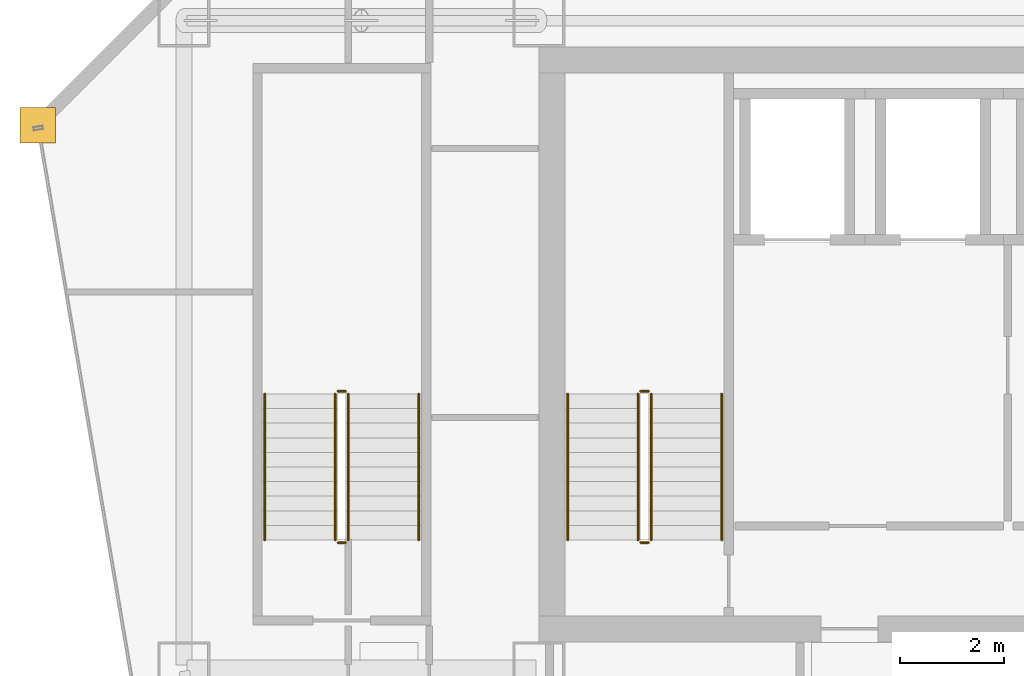
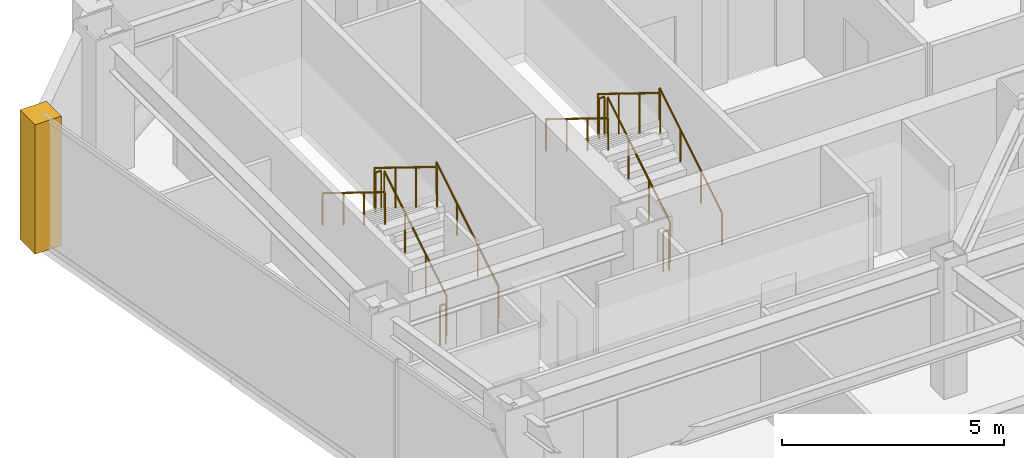
# One storey, part 29 of 31: 12 railings, 1 covering.
"""IFC4 building model written with IfcOpenShell, lengths in metres."""

import ifcopenshell
import ifcopenshell.guid

model = None  # the IFC model being written
_history = None  # IfcOwnerHistory: only IFC2X3 demands one
_inside = {}  # id of a spatial element -> (the spatial element, [elements in it])
_under = {}  # id of a project, library or spatial element -> (it, [spatial elements below it])
_declared = {}  # id of a project -> (the project, [libraries it declares])
_typed = {}  # id of a type object -> (the type object, [elements of that type])
_made_of = {}  # id of a material, layer set ... -> (it, [elements and type objects made of it])


def new_model(schema):
    """Start an empty IFC model of exactly this schema.

    Asked for "IFC4X3", IfcOpenShell would pick the latest addendum, in which some entities
    have other attributes; the version numbers below select the first issue.
    IFC2X3 requires an IfcOwnerHistory on every rooted entity: one is made here for all.
    """
    global model, _history
    if schema == "IFC4X3":
        model = ifcopenshell.file(schema_version=(4, 3, 0, 0))
    else:
        model = ifcopenshell.file(schema=schema)
    _inside.clear()
    _under.clear()
    _declared.clear()
    _typed.clear()
    _made_of.clear()
    _history = None
    if model.schema == "IFC2X3":
        org = make("IfcOrganization", Name="unknown")
        user = make(
            "IfcPersonAndOrganization",
            ThePerson=make("IfcPerson", FamilyName="unknown"),
            TheOrganization=org,
        )
        app = make(
            "IfcApplication",
            ApplicationDeveloper=org,
            Version="unknown",
            ApplicationFullName="unknown",
            ApplicationIdentifier="unknown",
        )
        _history = make(
            "IfcOwnerHistory",
            OwningUser=user,
            OwningApplication=app,
            ChangeAction="ADDED",
            CreationDate=0,
        )
    return model


def make(cls, **values):
    """One entity of the class cls with the attributes given. An attribute that is None is left unset."""
    return model.create_entity(
        cls, **{name: value for name, value in values.items() if value is not None}
    )


def rooted(cls, **values):
    """An entity with a GlobalId (a new one), such as an element, a storey or a relation."""
    return make(cls, GlobalId=ifcopenshell.guid.new(), OwnerHistory=_history, **values)


def si_unit(unit_type, name, prefix=None):
    """IfcSIUnit, for example si_unit("LENGTHUNIT", "METRE", prefix="MILLI")."""
    return make("IfcSIUnit", UnitType=unit_type, Prefix=prefix, Name=name)


def assignment(units):
    """IfcUnitAssignment: the units of a project."""
    return None if units is None else make("IfcUnitAssignment", Units=units)


def point(xyz):
    """IfcCartesianPoint."""
    return None if xyz is None else make("IfcCartesianPoint", Coordinates=xyz)


def direction(xyz):
    """IfcDirection."""
    return None if xyz is None else make("IfcDirection", DirectionRatios=xyz)


def frame(location, z_axis=None, x_axis=None):
    """IfcAxis2Placement3D, a coordinate frame: its origin and axes. An axis left out is left unset."""
    return make(
        "IfcAxis2Placement3D",
        Location=point(location),
        Axis=direction(z_axis),
        RefDirection=direction(x_axis),
    )


def frame_2d(location, x_axis=None):
    """IfcAxis2Placement2D, a coordinate frame in the plane: its origin and x axis."""
    return make(
        "IfcAxis2Placement2D", Location=point(location), RefDirection=direction(x_axis)
    )


def origin():
    """The frame at (0, 0, 0) with its axes left unset."""
    return frame((0.0, 0.0, 0.0))


def origin_2d():
    """The frame at (0, 0) in the plane with its x axis left unset."""
    return frame_2d((0.0, 0.0))


def place(relative_to, where):
    """IfcLocalPlacement: puts the frame where relative to a parent placement (None: the world)."""
    return make(
        "IfcLocalPlacement", PlacementRelTo=relative_to, RelativePlacement=where
    )


def context(
    kind, dimensions, precision=None, world=None, true_north=None, identifier=None
):
    """IfcGeometricRepresentationContext, for example the 3D "Model" context."""
    return make(
        "IfcGeometricRepresentationContext",
        ContextIdentifier=identifier,
        ContextType=kind,
        CoordinateSpaceDimension=dimensions,
        Precision=precision,
        WorldCoordinateSystem=world,
        TrueNorth=true_north,
    )


def subcontext(parent, identifier, kind, view, scale=None):
    """IfcGeometricRepresentationSubContext, for example "Body" below "Model"."""
    return make(
        "IfcGeometricRepresentationSubContext",
        ContextIdentifier=identifier,
        ContextType=kind,
        ParentContext=parent,
        TargetScale=scale,
        TargetView=view,
    )


def project(units=None, contexts=None):
    """IfcProject with its units and contexts."""
    return rooted(
        "IfcProject",
        Name="project",
        RepresentationContexts=contexts,
        UnitsInContext=assignment(units),
    )


def spatial(cls, under=None, at=None, **own):
    """A site, building, storey or space (cls), placed at a placement, below another one or the project."""
    s = rooted(cls, ObjectPlacement=at, **own)
    if under is not None:
        _under.setdefault(under.id(), (under, []))[1].append(s)
    return s


def polyline(points):
    """IfcPolyline through the points."""
    return make("IfcPolyline", Points=[point(p) for p in points])


def profile(cls, at=None, kind="AREA", **sizes):
    """A parametric profile (cls). Its sizes go by their IFC names, for example OverallWidth=200.0."""
    return make(cls, ProfileType=kind, Position=at, **sizes)


def circle(**sizes):
    """IfcCircleProfileDef."""
    return profile("IfcCircleProfileDef", **sizes)


def outline(outer, holes=None, kind="AREA"):
    """IfcArbitraryClosedProfileDef: a profile drawn as a closed curve; with holes, ...WithVoids."""
    if holes is None:
        return make("IfcArbitraryClosedProfileDef", ProfileType=kind, OuterCurve=outer)
    return make(
        "IfcArbitraryProfileDefWithVoids",
        ProfileType=kind,
        OuterCurve=outer,
        InnerCurves=holes,
    )


def extrude(swept, where, along, depth):
    """IfcExtrudedAreaSolid: the profile swept, set in the frame where, extruded along a direction by depth."""
    return make(
        "IfcExtrudedAreaSolid",
        SweptArea=swept,
        Position=where,
        ExtrudedDirection=direction(along),
        Depth=depth,
    )


def shape(context_of_items, identifier, shape_type, items):
    """IfcShapeRepresentation: the items that make up one representation, for example the "Body"."""
    return make(
        "IfcShapeRepresentation",
        ContextOfItems=context_of_items,
        RepresentationIdentifier=identifier,
        RepresentationType=shape_type,
        Items=items,
    )


def material(Name=None, Category=None):
    """IfcMaterial."""
    return make("IfcMaterial", Name=Name, Category=Category)


def layer(
    of_material, thickness, ventilated=None, Name=None, Category=None, Priority=None
):
    """IfcMaterialLayer: one layer of a wall or slab, of a material (None: an air gap)."""
    return make(
        "IfcMaterialLayer",
        Material=of_material,
        LayerThickness=thickness,
        IsVentilated=ventilated,
        Name=Name,
        Category=Category,
        Priority=Priority,
    )


def layer_set(layers, Name=None):
    """IfcMaterialLayerSet."""
    return make("IfcMaterialLayerSet", MaterialLayers=layers, LayerSetName=Name)


def made_of(thing, what):
    """Note that an element or type object is made of a material, layer set ...; save() writes the relation."""
    if what is not None:
        _made_of.setdefault(what.id(), (what, []))[1].append(thing)
    return thing


def type_object(cls, material=None, **own):
    """A type object (cls), such as IfcWallType, which elements share."""
    return made_of(rooted(cls, **own), material)


def element(
    cls,
    number,
    at=None,
    inside=None,
    cuts=None,
    type_object=None,
    material=None,
    context=None,
    identifier="Body",
    shape_type=None,
    held_by="IfcProductDefinitionShape",
    body=None,
    shapes=None,
    **own,
):
    """One element of the class cls, such as IfcWall. Its Tag is "e" and its number.

    at: its placement. inside: the storey or other place that contains it. cuts: it is an
    opening in that element (IfcRelVoidsElement). A single representation is given by context,
    identifier, shape_type and body (its items); several are given by shapes. held_by: the class
    of the entity that holds the representations. save() writes the other relations.
    """
    e = rooted(cls, Tag="e%d" % number, ObjectPlacement=at, **own)
    if body is not None:
        shapes = [shape(context, identifier, shape_type, body)]
    if shapes is not None:
        e.Representation = make(held_by, Representations=shapes)
    if inside is not None:
        _inside.setdefault(inside.id(), (inside, []))[1].append(e)
    if cuts is not None:
        rooted(
            "IfcRelVoidsElement", RelatingBuildingElement=cuts, RelatedOpeningElement=e
        )
    if type_object is not None:
        _typed.setdefault(type_object.id(), (type_object, []))[1].append(e)
    return made_of(e, material)


def aggregate(whole, parts):
    """IfcRelAggregates: a whole, such as a stair, and the parts it consists of."""
    return rooted("IfcRelAggregates", RelatingObject=whole, RelatedObjects=parts)


def save(model, path):
    """Write the relations noted so far, then the file.

    IfcRelAggregates (storeys below a building ...), IfcRelContainedInSpatialStructure (elements
    in a storey), IfcRelDefinesByType, IfcRelAssociatesMaterial and IfcRelDeclares: one each for
    every whole, place, type object, material and project.
    """
    for whole, parts in _under.values():
        aggregate(whole, parts)
    for where, things in _inside.values():
        rooted(
            "IfcRelContainedInSpatialStructure",
            RelatedElements=things,
            RelatingStructure=where,
        )
    for kind, things in _typed.values():
        rooted("IfcRelDefinesByType", RelatedObjects=things, RelatingType=kind)
    for what, things in _made_of.values():
        rooted("IfcRelAssociatesMaterial", RelatedObjects=things, RelatingMaterial=what)
    for by, libraries in _declared.values():
        rooted("IfcRelDeclares", RelatingContext=by, RelatedDefinitions=libraries)
    model.write(path)


model = new_model("IFC4")

# Units and contexts
model_context = context("Model", 3, precision=1e-05, world=origin(), true_north=direction((0.0, 1.0)))
body_context = subcontext(model_context, "Body", "Model", "MODEL_VIEW")
ifc_project = project(units=[si_unit("LENGTHUNIT", "METRE"), si_unit("AREAUNIT", "SQUARE_METRE"), si_unit("VOLUMEUNIT", "CUBIC_METRE"), si_unit("PLANEANGLEUNIT", "RADIAN"), si_unit("MASSUNIT", "GRAM", prefix="KILO")], contexts=[model_context])

# Site, building, storey
site_placement = place(None, origin())
site = spatial("IfcSite", under=ifc_project, at=site_placement, CompositionType="ELEMENT")
building_placement = place(site_placement, origin())
building = spatial("IfcBuilding", under=site, at=building_placement, Name="Saevonmaru Cultural Tower", CompositionType="ELEMENT")
storey_placement = place(building_placement, frame((0.0, 0.0, 167.60009765625)))
storey = spatial("IfcBuildingStorey", under=building, at=storey_placement, Name="L37", CompositionType="ELEMENT", Elevation=167.60009765625)

# Covering
ifc_material_1 = material(Name="Satin Bronze Anodised Aluminium", Category="aluminium")
ifc_layer = layer(ifc_material_1, 0.679931640625, Name="Satin Bronze Anodised Aluminium")
ifc_layer_set = layer_set([ifc_layer], Name="Satin Bronze Anodised Aluminium")
covering_type = type_object("IfcCoveringType", Name="CV-CORNER-CLAD", PredefinedType="CLADDING", material=ifc_layer_set)
covering_placement = place(storey_placement, origin())
element("IfcCovering", 1, at=covering_placement, inside=storey, type_object=covering_type, Name="L37 Tower Bronze Corner Cladding Pier 12", PredefinedType="CLADDING", context=body_context, shape_type="SweptSolid", body=[
    extrude(outline(polyline([(3.659912109375, 52.4599609375), (4.340087890625, 52.4599609375), (4.340087890625, 53.139892578125), (3.659912109375, 53.139892578125), (3.659912109375, 52.4599609375)])), origin(), (0.0, 0.0, 1.0), 3.5498046875),
])

# Railings
ifc_material_2 = material(Name="Architectural Painted Steel", Category="steel")
railing_type_1 = type_object("IfcRailingType", Name="RL-STAIR-GUARD", PredefinedType="GUARDRAIL", material=ifc_material_2)
railing_1_placement = place(storey_placement, frame((15.75, 44.85009765625, 0.172607421875)))
element("IfcRailing", 2, at=railing_1_placement, inside=storey, type_object=railing_type_1, Name="L37 ST-1 stair guard 1", PredefinedType="GUARDRAIL", context=body_context, shape_type="SweptSolid", body=[
    extrude(circle(Radius=0.02392578125, at=origin_2d()), frame((0.0, 0.0, 1.09619140625), z_axis=(0.0, 0.851069175582, 0.525053576669), x_axis=(-1.0, 0.0, 0.0)), (0.0, 0.0, 1.0), 3.289794921875),
    extrude(circle(Radius=0.02099609375, at=origin_2d()), origin(), (0.0, 0.0, 1.0), 1.072021484375),
    extrude(circle(Radius=0.02099609375, at=origin_2d()), frame((0.0, 0.933349609375, 0.57568359375)), (0.0, 0.0, 1.0), 1.072021484375),
    extrude(circle(Radius=0.02099609375, at=origin_2d()), frame((0.0, 1.866455078125, 1.151611328125)), (0.0, 0.0, 1.0), 1.072021484375),
    extrude(circle(Radius=0.02099609375, at=origin_2d()), frame((0.0, 2.7998046875, 1.727294921875)), (0.0, 0.0, 1.0), 1.072021484375),
])
railing_2_placement = place(storey_placement, frame((15.699951171875, 47.699951171875, 1.89990234375)))
element("IfcRailing", 3, at=railing_2_placement, inside=storey, type_object=railing_type_1, Name="L37 ST-1 stair guard 2", PredefinedType="GUARDRAIL", context=body_context, shape_type="SweptSolid", body=[
    extrude(circle(Radius=0.02392578125, at=origin_2d()), frame((0.0, 0.0, 1.09619140625), z_axis=(-1.0, 0.0, 0.0), x_axis=(0.0, -1.0, 0.0)), (0.0, 0.0, 1.0), 0.14990234375),
    extrude(circle(Radius=0.02099609375, at=origin_2d()), origin(), (0.0, 0.0, 1.0), 1.072021484375),
    extrude(circle(Radius=0.02099609375, at=origin_2d()), frame((-0.14990234375, 0.0, 0.0)), (0.0, 0.0, 1.0), 1.072021484375),
])
railing_3_placement = place(storey_placement, frame((15.5, 47.64990234375, 2.072509765625)))
element("IfcRailing", 4, at=railing_3_placement, inside=storey, type_object=railing_type_1, Name="L37 ST-1 stair guard 3", PredefinedType="GUARDRAIL", context=body_context, shape_type="SweptSolid", body=[
    extrude(circle(Radius=0.02392578125, at=origin_2d()), frame((0.0, 0.0, 1.09619140625), z_axis=(0.0, -0.851069175582, 0.525053576669), x_axis=(1.0, 0.0, 0.0)), (0.0, 0.0, 1.0), 3.289794921875),
    extrude(circle(Radius=0.02099609375, at=origin_2d()), origin(), (0.0, 0.0, 1.0), 1.072021484375),
    extrude(circle(Radius=0.02099609375, at=origin_2d()), frame((0.0, -0.933349609375, 0.57568359375)), (0.0, 0.0, 1.0), 1.072021484375),
    extrude(circle(Radius=0.02099609375, at=origin_2d()), frame((0.0, -1.866455078125, 1.151611328125)), (0.0, 0.0, 1.0), 1.072021484375),
    extrude(circle(Radius=0.02099609375, at=origin_2d()), frame((0.0, -2.7998046875, 1.727294921875)), (0.0, 0.0, 1.0), 1.072021484375),
])
railing_4_placement = place(storey_placement, frame((15.699951171875, 44.800048828125, 0.0)))
element("IfcRailing", 5, at=railing_4_placement, inside=storey, type_object=railing_type_1, Name="L37 ST-1 stair guard 4", PredefinedType="GUARDRAIL", context=body_context, shape_type="SweptSolid", body=[
    extrude(circle(Radius=0.02392578125, at=origin_2d()), frame((0.0, 0.0, 1.09619140625), z_axis=(-1.0, 0.0, 0.0), x_axis=(0.0, -1.0, 0.0)), (0.0, 0.0, 1.0), 0.14990234375),
    extrude(circle(Radius=0.02099609375, at=origin_2d()), origin(), (0.0, 0.0, 1.0), 1.072021484375),
    extrude(circle(Radius=0.02099609375, at=origin_2d()), frame((-0.14990234375, 0.0, 0.0)), (0.0, 0.0, 1.0), 1.072021484375),
])
railing_5_placement = place(storey_placement, frame((9.949951171875, 44.85009765625, 0.172607421875)))
element("IfcRailing", 6, at=railing_5_placement, inside=storey, type_object=railing_type_1, Name="L37 ST-3 stair guard 1", PredefinedType="GUARDRAIL", context=body_context, shape_type="SweptSolid", body=[
    extrude(circle(Radius=0.02392578125, at=origin_2d()), frame((0.0, 0.0, 1.09619140625), z_axis=(0.0, 0.851069175582, 0.525053576669), x_axis=(-1.0, 0.0, 0.0)), (0.0, 0.0, 1.0), 3.289794921875),
    extrude(circle(Radius=0.02099609375, at=origin_2d()), origin(), (0.0, 0.0, 1.0), 1.072021484375),
    extrude(circle(Radius=0.02099609375, at=origin_2d()), frame((0.0, 0.933349609375, 0.57568359375)), (0.0, 0.0, 1.0), 1.072021484375),
    extrude(circle(Radius=0.02099609375, at=origin_2d()), frame((0.0, 1.866455078125, 1.151611328125)), (0.0, 0.0, 1.0), 1.072021484375),
    extrude(circle(Radius=0.02099609375, at=origin_2d()), frame((0.0, 2.7998046875, 1.727294921875)), (0.0, 0.0, 1.0), 1.072021484375),
])
railing_6_placement = place(storey_placement, frame((9.89990234375, 47.699951171875, 1.89990234375)))
element("IfcRailing", 7, at=railing_6_placement, inside=storey, type_object=railing_type_1, Name="L37 ST-3 stair guard 2", PredefinedType="GUARDRAIL", context=body_context, shape_type="SweptSolid", body=[
    extrude(circle(Radius=0.02392578125, at=origin_2d()), frame((0.0, 0.0, 1.09619140625), z_axis=(-1.0, 0.0, 0.0), x_axis=(0.0, -1.0, 0.0)), (0.0, 0.0, 1.0), 0.14990234375),
    extrude(circle(Radius=0.02099609375, at=origin_2d()), origin(), (0.0, 0.0, 1.0), 1.072021484375),
    extrude(circle(Radius=0.02099609375, at=origin_2d()), frame((-0.14990234375, 0.0, 0.0)), (0.0, 0.0, 1.0), 1.072021484375),
])
railing_7_placement = place(storey_placement, frame((9.699951171875, 47.64990234375, 2.072509765625)))
element("IfcRailing", 8, at=railing_7_placement, inside=storey, type_object=railing_type_1, Name="L37 ST-3 stair guard 3", PredefinedType="GUARDRAIL", context=body_context, shape_type="SweptSolid", body=[
    extrude(circle(Radius=0.02392578125, at=origin_2d()), frame((0.0, 0.0, 1.09619140625), z_axis=(0.0, -0.851069175582, 0.525053576669), x_axis=(1.0, 0.0, 0.0)), (0.0, 0.0, 1.0), 3.289794921875),
    extrude(circle(Radius=0.02099609375, at=origin_2d()), origin(), (0.0, 0.0, 1.0), 1.072021484375),
    extrude(circle(Radius=0.02099609375, at=origin_2d()), frame((0.0, -0.933349609375, 0.57568359375)), (0.0, 0.0, 1.0), 1.072021484375),
    extrude(circle(Radius=0.02099609375, at=origin_2d()), frame((0.0, -1.866455078125, 1.151611328125)), (0.0, 0.0, 1.0), 1.072021484375),
    extrude(circle(Radius=0.02099609375, at=origin_2d()), frame((0.0, -2.7998046875, 1.727294921875)), (0.0, 0.0, 1.0), 1.072021484375),
])
railing_8_placement = place(storey_placement, frame((9.89990234375, 44.800048828125, 0.0)))
element("IfcRailing", 9, at=railing_8_placement, inside=storey, type_object=railing_type_1, Name="L37 ST-3 stair guard 4", PredefinedType="GUARDRAIL", context=body_context, shape_type="SweptSolid", body=[
    extrude(circle(Radius=0.02392578125, at=origin_2d()), frame((0.0, 0.0, 1.09619140625), z_axis=(-1.0, 0.0, 0.0), x_axis=(0.0, -1.0, 0.0)), (0.0, 0.0, 1.0), 0.14990234375),
    extrude(circle(Radius=0.02099609375, at=origin_2d()), origin(), (0.0, 0.0, 1.0), 1.072021484375),
    extrude(circle(Radius=0.02099609375, at=origin_2d()), frame((-0.14990234375, 0.0, 0.0)), (0.0, 0.0, 1.0), 1.072021484375),
])
railing_type_2 = type_object("IfcRailingType", Name="RL-STAIR-HANDRAIL", PredefinedType="HANDRAIL", material=ifc_material_1)
railing_9_placement = place(storey_placement, frame((17.10009765625, 44.85009765625, 0.172607421875)))
element("IfcRailing", 10, at=railing_9_placement, inside=storey, type_object=railing_type_2, Name="L37 ST-1 stair handrail 1", PredefinedType="HANDRAIL", context=body_context, shape_type="SweptSolid", body=[
    extrude(circle(Radius=0.02392578125, at=origin_2d()), frame((0.0, 0.0, 0.8759765625), z_axis=(0.0, 0.851069175582, 0.525053576669), x_axis=(-1.0, 0.0, 0.0)), (0.0, 0.0, 1.0), 3.289794921875),
    extrude(circle(Radius=0.02099609375, at=origin_2d()), origin(), (0.0, 0.0, 1.0), 0.851806640625),
    extrude(circle(Radius=0.02099609375, at=origin_2d()), frame((0.0, 0.933349609375, 0.57568359375)), (0.0, 0.0, 1.0), 0.851806640625),
    extrude(circle(Radius=0.02099609375, at=origin_2d()), frame((0.0, 1.866455078125, 1.151611328125)), (0.0, 0.0, 1.0), 0.851806640625),
    extrude(circle(Radius=0.02099609375, at=origin_2d()), frame((0.0, 2.7998046875, 1.727294921875)), (0.0, 0.0, 1.0), 0.851806640625),
])
railing_10_placement = place(storey_placement, frame((14.14990234375, 47.64990234375, 2.072509765625)))
element("IfcRailing", 11, at=railing_10_placement, inside=storey, type_object=railing_type_2, Name="L37 ST-1 stair handrail 2", PredefinedType="HANDRAIL", context=body_context, shape_type="SweptSolid", body=[
    extrude(circle(Radius=0.02392578125, at=origin_2d()), frame((0.0, 0.0, 0.8759765625), z_axis=(0.0, -0.851069175582, 0.525053576669), x_axis=(1.0, 0.0, 0.0)), (0.0, 0.0, 1.0), 3.289794921875),
    extrude(circle(Radius=0.02099609375, at=origin_2d()), origin(), (0.0, 0.0, 1.0), 0.851806640625),
    extrude(circle(Radius=0.02099609375, at=origin_2d()), frame((0.0, -0.933349609375, 0.57568359375)), (0.0, 0.0, 1.0), 0.851806640625),
    extrude(circle(Radius=0.02099609375, at=origin_2d()), frame((0.0, -1.866455078125, 1.151611328125)), (0.0, 0.0, 1.0), 0.851806640625),
    extrude(circle(Radius=0.02099609375, at=origin_2d()), frame((0.0, -2.7998046875, 1.727294921875)), (0.0, 0.0, 1.0), 0.851806640625),
])
railing_11_placement = place(storey_placement, frame((11.300048828125, 44.85009765625, 0.172607421875)))
element("IfcRailing", 12, at=railing_11_placement, inside=storey, type_object=railing_type_2, Name="L37 ST-3 stair handrail 1", PredefinedType="HANDRAIL", context=body_context, shape_type="SweptSolid", body=[
    extrude(circle(Radius=0.02392578125, at=origin_2d()), frame((0.0, 0.0, 0.8759765625), z_axis=(0.0, 0.851069175582, 0.525053576669), x_axis=(-1.0, 0.0, 0.0)), (0.0, 0.0, 1.0), 3.289794921875),
    extrude(circle(Radius=0.02099609375, at=origin_2d()), origin(), (0.0, 0.0, 1.0), 0.851806640625),
    extrude(circle(Radius=0.02099609375, at=origin_2d()), frame((0.0, 0.933349609375, 0.57568359375)), (0.0, 0.0, 1.0), 0.851806640625),
    extrude(circle(Radius=0.02099609375, at=origin_2d()), frame((0.0, 1.866455078125, 1.151611328125)), (0.0, 0.0, 1.0), 0.851806640625),
    extrude(circle(Radius=0.02099609375, at=origin_2d()), frame((0.0, 2.7998046875, 1.727294921875)), (0.0, 0.0, 1.0), 0.851806640625),
])
railing_12_placement = place(storey_placement, frame((8.35009765625, 47.64990234375, 2.072509765625)))
element("IfcRailing", 13, at=railing_12_placement, inside=storey, type_object=railing_type_2, Name="L37 ST-3 stair handrail 2", PredefinedType="HANDRAIL", context=body_context, shape_type="SweptSolid", body=[
    extrude(circle(Radius=0.02392578125, at=origin_2d()), frame((0.0, 0.0, 0.8759765625), z_axis=(0.0, -0.851069175582, 0.525053576669), x_axis=(1.0, 0.0, 0.0)), (0.0, 0.0, 1.0), 3.289794921875),
    extrude(circle(Radius=0.02099609375, at=origin_2d()), origin(), (0.0, 0.0, 1.0), 0.851806640625),
    extrude(circle(Radius=0.02099609375, at=origin_2d()), frame((0.0, -0.933349609375, 0.57568359375)), (0.0, 0.0, 1.0), 0.851806640625),
    extrude(circle(Radius=0.02099609375, at=origin_2d()), frame((0.0, -1.866455078125, 1.151611328125)), (0.0, 0.0, 1.0), 0.851806640625),
    extrude(circle(Radius=0.02099609375, at=origin_2d()), frame((0.0, -2.7998046875, 1.727294921875)), (0.0, 0.0, 1.0), 0.851806640625),
])

save(model, "model.ifc")
